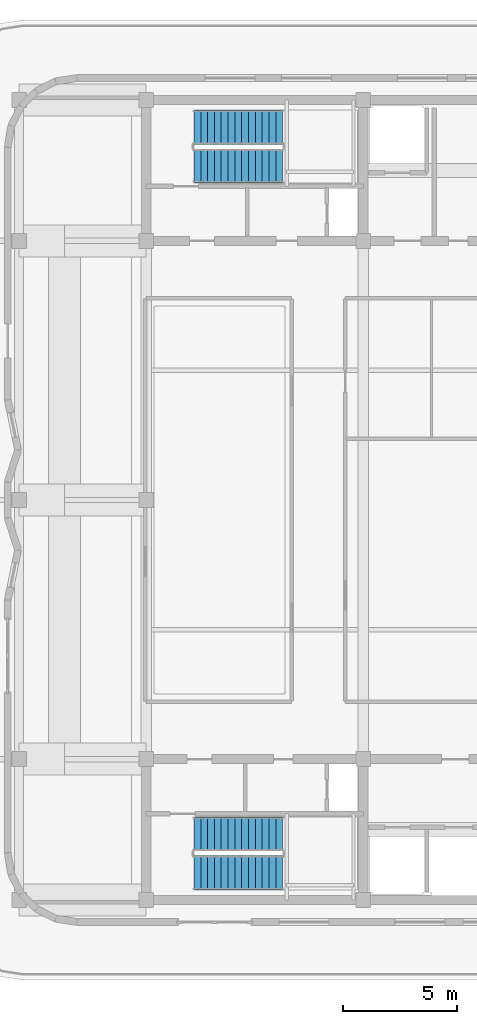
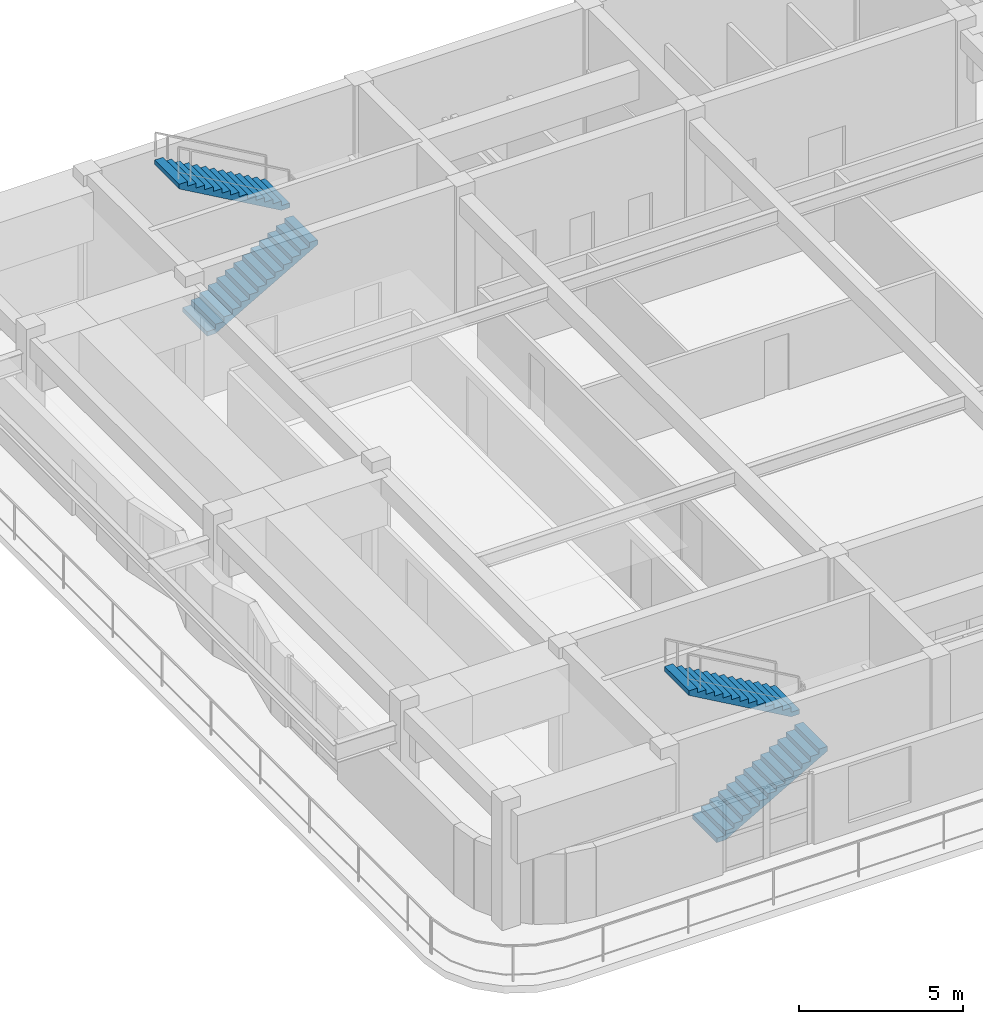
# One storey, part 9 of 12: 4 stair flights, 2 elements without a shape of their own.
"""IFC4 building model written with IfcOpenShell, lengths in metres."""

from ifc_helpers import new_model, si_unit, direction, frame, origin, place, context, subcontext, project, spatial, polyline, outline, extrude, material, type_object, element, aggregate, save


model = new_model("IFC4")

# Units and contexts
model_context = context("Model", 3, precision=1e-05, world=origin(), true_north=direction((0.0, 1.0)))
body_context = subcontext(model_context, "Body", "Model", "MODEL_VIEW")
ifc_project = project(units=[si_unit("LENGTHUNIT", "METRE"), si_unit("AREAUNIT", "SQUARE_METRE"), si_unit("VOLUMEUNIT", "CUBIC_METRE"), si_unit("PLANEANGLEUNIT", "RADIAN"), si_unit("MASSUNIT", "GRAM", prefix="KILO")], contexts=[model_context])

# Site, building, storey
site_placement = place(None, origin())
site = spatial("IfcSite", under=ifc_project, at=site_placement, CompositionType="ELEMENT")
building_placement = place(site_placement, origin())
building = spatial("IfcBuilding", under=site, at=building_placement, Name="Svetorya Sky Lyceum", CompositionType="ELEMENT")
storey_placement = place(building_placement, frame((0.0, 0.0, 297.199951171875)))
storey = spatial("IfcBuildingStorey", under=building, at=storey_placement, Name="L75", CompositionType="ELEMENT", Elevation=297.199951171875)

# Stair, stair flights
ifc_material = material(Name="Concrete C40/50", Category="concrete")
stair_type_1 = type_object("IfcStairType", Name="STR-ST-N", PredefinedType="HALF_TURN_STAIR", material=ifc_material)
stair_1_placement = place(storey_placement, origin())
stair_1 = element("IfcStair", 1, at=stair_1_placement, inside=storey, type_object=stair_type_1, Name="L75 North Core Smoke-Free Exit Stair N3", PredefinedType="HALF_TURN_STAIR")
stair_flight_type_1 = type_object("IfcStairFlightType", Name="SFL-ST-N", PredefinedType="STRAIGHT", material=ifc_material)
stair_flight_1_placement = place(storey_placement, frame((27.699951171875, 42.89990234375, 0.0), z_axis=(0.0, 0.0, 1.0), x_axis=(1.0, 0.0, 0.0)))
stair_flight_1 = element("IfcStairFlight", 2, at=stair_flight_1_placement, type_object=stair_flight_type_1, Name="ST-N flight 1", NumberOfRisers=14, NumberOfTreads=13, PredefinedType="STRAIGHT", RiserHeight=0.171428571, TreadLength=0.3, context=body_context, shape_type="SweptSolid", body=[
    extrude(outline(polyline([(0.0, 0.0), (0.0, 0.17138671875), (0.300048828125, 0.17138671875), (0.300048828125, 0.3427734375), (0.60009765625, 0.3427734375), (0.60009765625, 0.514404296875), (0.89990234375, 0.514404296875), (0.89990234375, 0.685791015625), (1.199951171875, 0.685791015625), (1.199951171875, 0.857177734375), (1.5, 0.857177734375), (1.5, 1.028564453125), (1.800048828125, 1.028564453125), (1.800048828125, 1.199951171875), (2.10009765625, 1.199951171875), (2.10009765625, 1.371337890625), (2.39990234375, 1.371337890625), (2.39990234375, 1.54296875), (2.699951171875, 1.54296875), (2.699951171875, 1.71435546875), (3.0, 1.71435546875), (3.0, 1.8857421875), (3.300048828125, 1.8857421875), (3.300048828125, 2.05712890625), (3.60009765625, 2.05712890625), (3.60009765625, 2.228515625), (3.89990234375, 2.228515625), (3.89990234375, 2.39990234375), (3.89990234375, 2.055908203125), (0.30224609375, 0.0), (0.0, 0.0)])), frame((0.0, 0.75, 0.0), z_axis=(0.0, -1.0, 0.0), x_axis=(1.0, 0.0, 0.0)), (0.0, 0.0, 1.0), 1.5),
])
stair_flight_2_placement = place(storey_placement, frame((31.60009765625, 44.60009765625, 2.400146484375), z_axis=(0.0, 0.0, 1.0), x_axis=(-1.0, 0.0, 0.0)))
stair_flight_2 = element("IfcStairFlight", 3, at=stair_flight_2_placement, type_object=stair_flight_type_1, Name="ST-N flight 2", NumberOfRisers=14, NumberOfTreads=13, PredefinedType="STRAIGHT", RiserHeight=0.171428571, TreadLength=0.3, context=body_context, shape_type="SweptSolid", body=[
    extrude(outline(polyline([(0.0, 0.0), (0.0, 0.17138671875), (0.300048828125, 0.17138671875), (0.300048828125, 0.3427734375), (0.60009765625, 0.3427734375), (0.60009765625, 0.514404296875), (0.89990234375, 0.514404296875), (0.89990234375, 0.685791015625), (1.199951171875, 0.685791015625), (1.199951171875, 0.857177734375), (1.5, 0.857177734375), (1.5, 1.028564453125), (1.800048828125, 1.028564453125), (1.800048828125, 1.199951171875), (2.10009765625, 1.199951171875), (2.10009765625, 1.371337890625), (2.39990234375, 1.371337890625), (2.39990234375, 1.54296875), (2.699951171875, 1.54296875), (2.699951171875, 1.71435546875), (3.0, 1.71435546875), (3.0, 1.8857421875), (3.300048828125, 1.8857421875), (3.300048828125, 2.05712890625), (3.60009765625, 2.05712890625), (3.60009765625, 2.228515625), (3.89990234375, 2.228515625), (3.89990234375, 2.39990234375), (3.89990234375, 2.055908203125), (0.30224609375, 0.0), (0.0, 0.0)])), frame((0.0, 0.75, 0.0), z_axis=(0.0, -1.0, 0.0), x_axis=(1.0, 0.0, 0.0)), (0.0, 0.0, 1.0), 1.5),
])
aggregate(stair_1, [stair_flight_1, stair_flight_2])

stair_type_2 = type_object("IfcStairType", Name="STR-ST-S", PredefinedType="HALF_TURN_STAIR", material=ifc_material)
stair_2_placement = place(storey_placement, origin())
stair_2 = element("IfcStair", 4, at=stair_2_placement, inside=storey, type_object=stair_type_2, Name="L75 South Core Smoke-Free Exit Stair N2", PredefinedType="HALF_TURN_STAIR")
stair_flight_type_2 = type_object("IfcStairFlightType", Name="SFL-ST-S", PredefinedType="STRAIGHT", material=ifc_material)
stair_flight_3_placement = place(storey_placement, frame((27.699951171875, 11.800048828125, 0.0), z_axis=(0.0, 0.0, 1.0), x_axis=(1.0, 0.0, 0.0)))
stair_flight_3 = element("IfcStairFlight", 5, at=stair_flight_3_placement, type_object=stair_flight_type_2, Name="ST-S flight 1", NumberOfRisers=14, NumberOfTreads=13, PredefinedType="STRAIGHT", RiserHeight=0.171428571, TreadLength=0.3, context=body_context, shape_type="SweptSolid", body=[
    extrude(outline(polyline([(0.0, 0.0), (0.0, 0.17138671875), (0.300048828125, 0.17138671875), (0.300048828125, 0.3427734375), (0.60009765625, 0.3427734375), (0.60009765625, 0.514404296875), (0.89990234375, 0.514404296875), (0.89990234375, 0.685791015625), (1.199951171875, 0.685791015625), (1.199951171875, 0.857177734375), (1.5, 0.857177734375), (1.5, 1.028564453125), (1.800048828125, 1.028564453125), (1.800048828125, 1.199951171875), (2.10009765625, 1.199951171875), (2.10009765625, 1.371337890625), (2.39990234375, 1.371337890625), (2.39990234375, 1.54296875), (2.699951171875, 1.54296875), (2.699951171875, 1.71435546875), (3.0, 1.71435546875), (3.0, 1.8857421875), (3.300048828125, 1.8857421875), (3.300048828125, 2.05712890625), (3.60009765625, 2.05712890625), (3.60009765625, 2.228515625), (3.89990234375, 2.228515625), (3.89990234375, 2.39990234375), (3.89990234375, 2.055908203125), (0.30224609375, 0.0), (0.0, 0.0)])), frame((0.0, 0.75, 0.0), z_axis=(0.0, -1.0, 0.0), x_axis=(1.0, 0.0, 0.0)), (0.0, 0.0, 1.0), 1.5),
])
stair_flight_4_placement = place(storey_placement, frame((31.60009765625, 13.5, 2.400146484375), z_axis=(0.0, 0.0, 1.0), x_axis=(-1.0, 0.0, 0.0)))
stair_flight_4 = element("IfcStairFlight", 6, at=stair_flight_4_placement, type_object=stair_flight_type_2, Name="ST-S flight 2", NumberOfRisers=14, NumberOfTreads=13, PredefinedType="STRAIGHT", RiserHeight=0.171428571, TreadLength=0.3, context=body_context, shape_type="SweptSolid", body=[
    extrude(outline(polyline([(0.0, 0.0), (0.0, 0.17138671875), (0.300048828125, 0.17138671875), (0.300048828125, 0.3427734375), (0.60009765625, 0.3427734375), (0.60009765625, 0.514404296875), (0.89990234375, 0.514404296875), (0.89990234375, 0.685791015625), (1.199951171875, 0.685791015625), (1.199951171875, 0.857177734375), (1.5, 0.857177734375), (1.5, 1.028564453125), (1.800048828125, 1.028564453125), (1.800048828125, 1.199951171875), (2.10009765625, 1.199951171875), (2.10009765625, 1.371337890625), (2.39990234375, 1.371337890625), (2.39990234375, 1.54296875), (2.699951171875, 1.54296875), (2.699951171875, 1.71435546875), (3.0, 1.71435546875), (3.0, 1.8857421875), (3.300048828125, 1.8857421875), (3.300048828125, 2.05712890625), (3.60009765625, 2.05712890625), (3.60009765625, 2.228515625), (3.89990234375, 2.228515625), (3.89990234375, 2.39990234375), (3.89990234375, 2.055908203125), (0.30224609375, 0.0), (0.0, 0.0)])), frame((0.0, 0.75, 0.0), z_axis=(0.0, -1.0, 0.0), x_axis=(1.0, 0.0, 0.0)), (0.0, 0.0, 1.0), 1.5),
])
aggregate(stair_2, [stair_flight_3, stair_flight_4])

save(model, "model.ifc")
